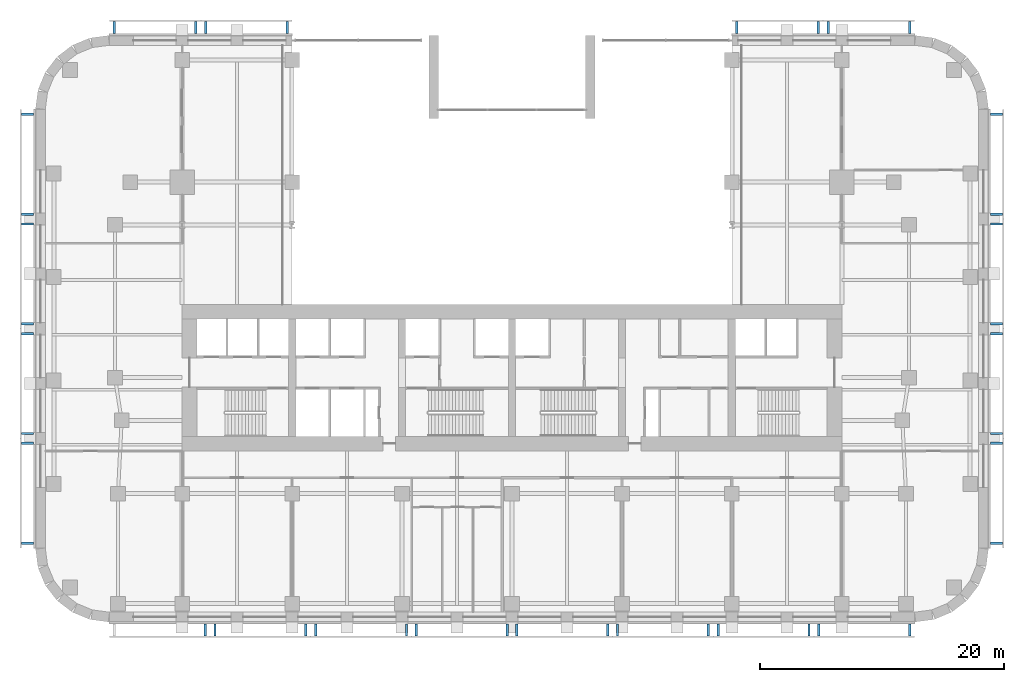
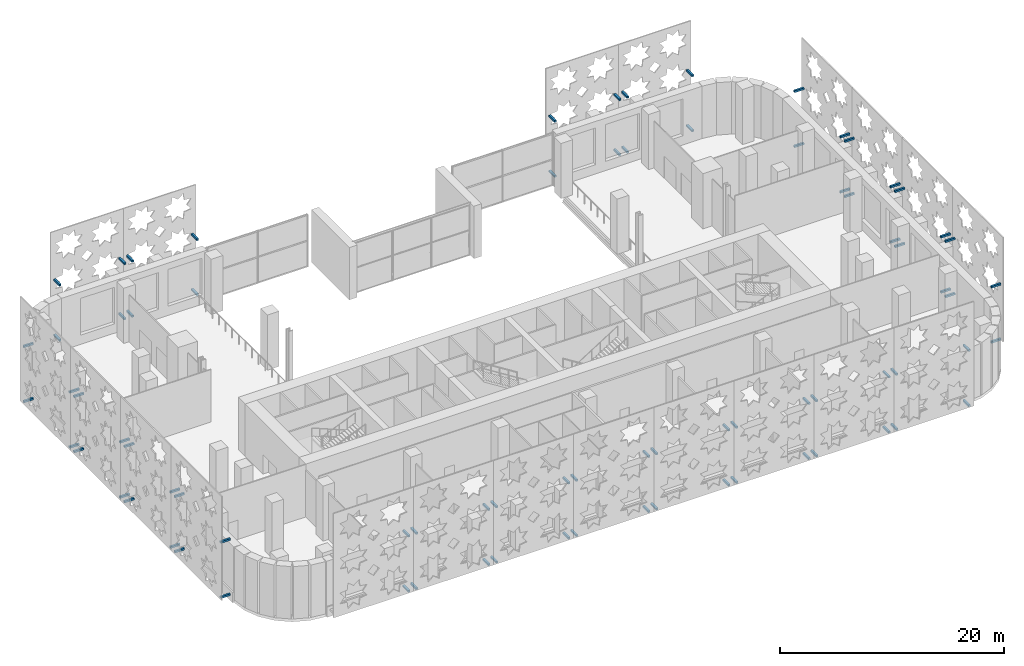
# One storey, part 10 of 17: 78 discrete accessories.
"""IFC4 building model written with IfcOpenShell, lengths in metres."""

import ifcopenshell
import ifcopenshell.guid

model = None  # the IFC model being written
_history = None  # IfcOwnerHistory: only IFC2X3 demands one
_inside = {}  # id of a spatial element -> (the spatial element, [elements in it])
_under = {}  # id of a project, library or spatial element -> (it, [spatial elements below it])
_declared = {}  # id of a project -> (the project, [libraries it declares])
_typed = {}  # id of a type object -> (the type object, [elements of that type])
_made_of = {}  # id of a material, layer set ... -> (it, [elements and type objects made of it])


def new_model(schema):
    """Start an empty IFC model of exactly this schema.

    Asked for "IFC4X3", IfcOpenShell would pick the latest addendum, in which some entities
    have other attributes; the version numbers below select the first issue.
    IFC2X3 requires an IfcOwnerHistory on every rooted entity: one is made here for all.
    """
    global model, _history
    if schema == "IFC4X3":
        model = ifcopenshell.file(schema_version=(4, 3, 0, 0))
    else:
        model = ifcopenshell.file(schema=schema)
    _inside.clear()
    _under.clear()
    _declared.clear()
    _typed.clear()
    _made_of.clear()
    _history = None
    if model.schema == "IFC2X3":
        org = make("IfcOrganization", Name="unknown")
        user = make(
            "IfcPersonAndOrganization",
            ThePerson=make("IfcPerson", FamilyName="unknown"),
            TheOrganization=org,
        )
        app = make(
            "IfcApplication",
            ApplicationDeveloper=org,
            Version="unknown",
            ApplicationFullName="unknown",
            ApplicationIdentifier="unknown",
        )
        _history = make(
            "IfcOwnerHistory",
            OwningUser=user,
            OwningApplication=app,
            ChangeAction="ADDED",
            CreationDate=0,
        )
    return model


def make(cls, **values):
    """One entity of the class cls with the attributes given. An attribute that is None is left unset."""
    return model.create_entity(
        cls, **{name: value for name, value in values.items() if value is not None}
    )


def rooted(cls, **values):
    """An entity with a GlobalId (a new one), such as an element, a storey or a relation."""
    return make(cls, GlobalId=ifcopenshell.guid.new(), OwnerHistory=_history, **values)


def si_unit(unit_type, name, prefix=None):
    """IfcSIUnit, for example si_unit("LENGTHUNIT", "METRE", prefix="MILLI")."""
    return make("IfcSIUnit", UnitType=unit_type, Prefix=prefix, Name=name)


def assignment(units):
    """IfcUnitAssignment: the units of a project."""
    return None if units is None else make("IfcUnitAssignment", Units=units)


def point(xyz):
    """IfcCartesianPoint."""
    return None if xyz is None else make("IfcCartesianPoint", Coordinates=xyz)


def direction(xyz):
    """IfcDirection."""
    return None if xyz is None else make("IfcDirection", DirectionRatios=xyz)


def frame(location, z_axis=None, x_axis=None):
    """IfcAxis2Placement3D, a coordinate frame: its origin and axes. An axis left out is left unset."""
    return make(
        "IfcAxis2Placement3D",
        Location=point(location),
        Axis=direction(z_axis),
        RefDirection=direction(x_axis),
    )


def frame_2d(location, x_axis=None):
    """IfcAxis2Placement2D, a coordinate frame in the plane: its origin and x axis."""
    return make(
        "IfcAxis2Placement2D", Location=point(location), RefDirection=direction(x_axis)
    )


def origin():
    """The frame at (0, 0, 0) with its axes left unset."""
    return frame((0.0, 0.0, 0.0))


def origin_2d():
    """The frame at (0, 0) in the plane with its x axis left unset."""
    return frame_2d((0.0, 0.0))


def place(relative_to, where):
    """IfcLocalPlacement: puts the frame where relative to a parent placement (None: the world)."""
    return make(
        "IfcLocalPlacement", PlacementRelTo=relative_to, RelativePlacement=where
    )


def context(
    kind, dimensions, precision=None, world=None, true_north=None, identifier=None
):
    """IfcGeometricRepresentationContext, for example the 3D "Model" context."""
    return make(
        "IfcGeometricRepresentationContext",
        ContextIdentifier=identifier,
        ContextType=kind,
        CoordinateSpaceDimension=dimensions,
        Precision=precision,
        WorldCoordinateSystem=world,
        TrueNorth=true_north,
    )


def subcontext(parent, identifier, kind, view, scale=None):
    """IfcGeometricRepresentationSubContext, for example "Body" below "Model"."""
    return make(
        "IfcGeometricRepresentationSubContext",
        ContextIdentifier=identifier,
        ContextType=kind,
        ParentContext=parent,
        TargetScale=scale,
        TargetView=view,
    )


def project(units=None, contexts=None):
    """IfcProject with its units and contexts."""
    return rooted(
        "IfcProject",
        Name="project",
        RepresentationContexts=contexts,
        UnitsInContext=assignment(units),
    )


def spatial(cls, under=None, at=None, **own):
    """A site, building, storey or space (cls), placed at a placement, below another one or the project."""
    s = rooted(cls, ObjectPlacement=at, **own)
    if under is not None:
        _under.setdefault(under.id(), (under, []))[1].append(s)
    return s


def profile(cls, at=None, kind="AREA", **sizes):
    """A parametric profile (cls). Its sizes go by their IFC names, for example OverallWidth=200.0."""
    return make(cls, ProfileType=kind, Position=at, **sizes)


def rectangle(**sizes):
    """IfcRectangleProfileDef."""
    return profile("IfcRectangleProfileDef", **sizes)


def extrude(swept, where, along, depth):
    """IfcExtrudedAreaSolid: the profile swept, set in the frame where, extruded along a direction by depth."""
    return make(
        "IfcExtrudedAreaSolid",
        SweptArea=swept,
        Position=where,
        ExtrudedDirection=direction(along),
        Depth=depth,
    )


def shape(context_of_items, identifier, shape_type, items):
    """IfcShapeRepresentation: the items that make up one representation, for example the "Body"."""
    return make(
        "IfcShapeRepresentation",
        ContextOfItems=context_of_items,
        RepresentationIdentifier=identifier,
        RepresentationType=shape_type,
        Items=items,
    )


def material(Name=None, Category=None):
    """IfcMaterial."""
    return make("IfcMaterial", Name=Name, Category=Category)


def made_of(thing, what):
    """Note that an element or type object is made of a material, layer set ...; save() writes the relation."""
    if what is not None:
        _made_of.setdefault(what.id(), (what, []))[1].append(thing)
    return thing


def type_object(cls, material=None, **own):
    """A type object (cls), such as IfcWallType, which elements share."""
    return made_of(rooted(cls, **own), material)


def element(
    cls,
    number,
    at=None,
    inside=None,
    cuts=None,
    type_object=None,
    material=None,
    context=None,
    identifier="Body",
    shape_type=None,
    held_by="IfcProductDefinitionShape",
    body=None,
    shapes=None,
    **own,
):
    """One element of the class cls, such as IfcWall. Its Tag is "e" and its number.

    at: its placement. inside: the storey or other place that contains it. cuts: it is an
    opening in that element (IfcRelVoidsElement). A single representation is given by context,
    identifier, shape_type and body (its items); several are given by shapes. held_by: the class
    of the entity that holds the representations. save() writes the other relations.
    """
    e = rooted(cls, Tag="e%d" % number, ObjectPlacement=at, **own)
    if body is not None:
        shapes = [shape(context, identifier, shape_type, body)]
    if shapes is not None:
        e.Representation = make(held_by, Representations=shapes)
    if inside is not None:
        _inside.setdefault(inside.id(), (inside, []))[1].append(e)
    if cuts is not None:
        rooted(
            "IfcRelVoidsElement", RelatingBuildingElement=cuts, RelatedOpeningElement=e
        )
    if type_object is not None:
        _typed.setdefault(type_object.id(), (type_object, []))[1].append(e)
    return made_of(e, material)


def aggregate(whole, parts):
    """IfcRelAggregates: a whole, such as a stair, and the parts it consists of."""
    return rooted("IfcRelAggregates", RelatingObject=whole, RelatedObjects=parts)


def save(model, path):
    """Write the relations noted so far, then the file.

    IfcRelAggregates (storeys below a building ...), IfcRelContainedInSpatialStructure (elements
    in a storey), IfcRelDefinesByType, IfcRelAssociatesMaterial and IfcRelDeclares: one each for
    every whole, place, type object, material and project.
    """
    for whole, parts in _under.values():
        aggregate(whole, parts)
    for where, things in _inside.values():
        rooted(
            "IfcRelContainedInSpatialStructure",
            RelatedElements=things,
            RelatingStructure=where,
        )
    for kind, things in _typed.values():
        rooted("IfcRelDefinesByType", RelatedObjects=things, RelatingType=kind)
    for what, things in _made_of.values():
        rooted("IfcRelAssociatesMaterial", RelatedObjects=things, RelatingMaterial=what)
    for by, libraries in _declared.values():
        rooted("IfcRelDeclares", RelatingContext=by, RelatedDefinitions=libraries)
    model.write(path)


model = new_model("IFC4")

# Units and contexts
model_context = context("Model", 3, precision=1e-05, world=origin(), true_north=direction((0.0, 1.0)))
body_context = subcontext(model_context, "Body", "Model", "MODEL_VIEW")
ifc_project = project(units=[si_unit("LENGTHUNIT", "METRE"), si_unit("AREAUNIT", "SQUARE_METRE"), si_unit("VOLUMEUNIT", "CUBIC_METRE"), si_unit("PLANEANGLEUNIT", "RADIAN"), si_unit("MASSUNIT", "GRAM", prefix="KILO")], contexts=[model_context])

# Site, building, storey
site_placement = place(None, origin())
site = spatial("IfcSite", under=ifc_project, at=site_placement, CompositionType="ELEMENT")
building_placement = place(site_placement, origin())
building = spatial("IfcBuilding", under=site, at=building_placement, Name="Zellij Exchange Tower", CompositionType="ELEMENT")
storey_placement = place(building_placement, frame((0.0, 0.0, 9.0)))
storey = spatial("IfcBuildingStorey", under=building, at=storey_placement, Name="L01", CompositionType="ELEMENT", Elevation=9.0)

# Discrete accessories
ifc_material = material(Name="Stainless steel", Category="steel")
discrete_accessory_type = type_object("IfcDiscreteAccessoryType", Name="ENV-BR1 Stone panel bracket 200", PredefinedType="USERDEFINED", material=ifc_material)
for number, where, z_axis, x_axis, name in (
    (1, (-39.64990234375, 13.547607421875, 0.2998046875), (0.0, 0.0, 1.0), (0.0, -1.0, 0.0), "Panel bracket"),
    (2, (-39.64990234375, 5.373779296875, 0.2998046875), (0.0, 0.0, 1.0), (0.0, -1.0, 0.0), "Panel bracket"),
    (3, (-39.64990234375, 13.547607421875, 6.2998046875), (0.0, 0.0, 1.0), (0.0, -1.0, 0.0), "Panel bracket"),
    (4, (-39.64990234375, 5.373779296875, 6.2998046875), (0.0, 0.0, 1.0), (0.0, -1.0, 0.0), "Panel bracket"),
    (5, (-39.64990234375, 4.57373046875, 0.2998046875), (0.0, 0.0, 1.0), (0.0, -1.0, 0.0), "Panel bracket"),
    (6, (-39.64990234375, -3.60009765625, 0.2998046875), (0.0, 0.0, 1.0), (0.0, -1.0, 0.0), "Panel bracket"),
    (7, (-39.64990234375, 4.57373046875, 6.2998046875), (0.0, 0.0, 1.0), (0.0, -1.0, 0.0), "Panel bracket"),
    (8, (-39.64990234375, -3.60009765625, 6.2998046875), (0.0, 0.0, 1.0), (0.0, -1.0, 0.0), "Panel bracket"),
    (9, (-39.64990234375, -4.39990234375, 0.2998046875), (0.0, 0.0, 1.0), (0.0, -1.0, 0.0), "Panel bracket"),
    (10, (-39.64990234375, -12.57373046875, 0.2998046875), (0.0, 0.0, 1.0), (0.0, -1.0, 0.0), "Panel bracket"),
    (11, (-39.64990234375, -4.39990234375, 6.2998046875), (0.0, 0.0, 1.0), (0.0, -1.0, 0.0), "Panel bracket"),
    (12, (-39.64990234375, -12.57373046875, 6.2998046875), (0.0, 0.0, 1.0), (0.0, -1.0, 0.0), "Panel bracket"),
    (13, (-39.64990234375, -13.373779296875, 0.2998046875), (0.0, 0.0, 1.0), (0.0, -1.0, 0.0), "Panel bracket"),
    (14, (-39.64990234375, -21.547607421875, 0.2998046875), (0.0, 0.0, 1.0), (0.0, -1.0, 0.0), "Panel bracket"),
    (15, (-39.64990234375, -13.373779296875, 6.2998046875), (0.0, 0.0, 1.0), (0.0, -1.0, 0.0), "Panel bracket"),
    (16, (-39.64990234375, -21.547607421875, 6.2998046875), (0.0, 0.0, 1.0), (0.0, -1.0, 0.0), "Panel bracket"),
    (17, (-25.110595703125, -28.64990234375, 0.2998046875), (0.0, 0.0, 1.0), (1.0, 0.0, 0.0), "Panel bracket"),
    (18, (-25.110595703125, -28.64990234375, 6.2998046875), (0.0, 0.0, 1.0), (1.0, 0.0, 0.0), "Panel bracket"),
    (19, (-24.310791015625, -28.64990234375, 0.2998046875), (0.0, 0.0, 1.0), (1.0, 0.0, 0.0), "Panel bracket"),
    (20, (-16.873779296875, -28.64990234375, 0.2998046875), (0.0, 0.0, 1.0), (1.0, 0.0, 0.0), "Panel bracket"),
    (21, (-24.310791015625, -28.64990234375, 6.2998046875), (0.0, 0.0, 1.0), (1.0, 0.0, 0.0), "Panel bracket"),
    (22, (-16.873779296875, -28.64990234375, 6.2998046875), (0.0, 0.0, 1.0), (1.0, 0.0, 0.0), "Panel bracket"),
    (23, (-16.07373046875, -28.64990234375, 0.2998046875), (0.0, 0.0, 1.0), (1.0, 0.0, 0.0), "Panel bracket"),
    (24, (-8.636962890625, -28.64990234375, 0.2998046875), (0.0, 0.0, 1.0), (1.0, 0.0, 0.0), "Panel bracket"),
    (25, (-16.07373046875, -28.64990234375, 6.2998046875), (0.0, 0.0, 1.0), (1.0, 0.0, 0.0), "Panel bracket"),
    (26, (-8.636962890625, -28.64990234375, 6.2998046875), (0.0, 0.0, 1.0), (1.0, 0.0, 0.0), "Panel bracket"),
    (27, (-7.8369140625, -28.64990234375, 0.2998046875), (0.0, 0.0, 1.0), (1.0, 0.0, 0.0), "Panel bracket"),
    (28, (-0.39990234375, -28.64990234375, 0.2998046875), (0.0, 0.0, 1.0), (1.0, 0.0, 0.0), "Panel bracket"),
    (29, (-7.8369140625, -28.64990234375, 6.2998046875), (0.0, 0.0, 1.0), (1.0, 0.0, 0.0), "Panel bracket"),
    (30, (-0.39990234375, -28.64990234375, 6.2998046875), (0.0, 0.0, 1.0), (1.0, 0.0, 0.0), "Panel bracket"),
    (31, (0.39990234375, -28.64990234375, 0.2998046875), (0.0, 0.0, 1.0), (1.0, 0.0, 0.0), "Panel bracket"),
    (32, (7.8369140625, -28.64990234375, 0.2998046875), (0.0, 0.0, 1.0), (1.0, 0.0, 0.0), "Panel bracket"),
    (33, (0.39990234375, -28.64990234375, 6.2998046875), (0.0, 0.0, 1.0), (1.0, 0.0, 0.0), "Panel bracket"),
    (34, (7.8369140625, -28.64990234375, 6.2998046875), (0.0, 0.0, 1.0), (1.0, 0.0, 0.0), "Panel bracket"),
    (35, (8.636962890625, -28.64990234375, 0.2998046875), (0.0, 0.0, 1.0), (1.0, 0.0, 0.0), "Panel bracket"),
    (36, (16.07373046875, -28.64990234375, 0.2998046875), (0.0, 0.0, 1.0), (1.0, 0.0, 0.0), "Panel bracket"),
    (37, (8.636962890625, -28.64990234375, 6.2998046875), (0.0, 0.0, 1.0), (1.0, 0.0, 0.0), "Panel bracket"),
    (38, (16.07373046875, -28.64990234375, 6.2998046875), (0.0, 0.0, 1.0), (1.0, 0.0, 0.0), "Panel bracket"),
    (39, (16.873779296875, -28.64990234375, 0.2998046875), (0.0, 0.0, 1.0), (1.0, 0.0, 0.0), "Panel bracket"),
    (40, (24.310791015625, -28.64990234375, 0.2998046875), (0.0, 0.0, 1.0), (1.0, 0.0, 0.0), "Panel bracket"),
    (41, (16.873779296875, -28.64990234375, 6.2998046875), (0.0, 0.0, 1.0), (1.0, 0.0, 0.0), "Panel bracket"),
    (42, (24.310791015625, -28.64990234375, 6.2998046875), (0.0, 0.0, 1.0), (1.0, 0.0, 0.0), "Panel bracket"),
    (43, (25.110595703125, -28.64990234375, 0.2998046875), (0.0, 0.0, 1.0), (1.0, 0.0, 0.0), "Panel bracket"),
    (44, (32.547607421875, -28.64990234375, 0.2998046875), (0.0, 0.0, 1.0), (1.0, 0.0, 0.0), "Panel bracket"),
    (45, (25.110595703125, -28.64990234375, 6.2998046875), (0.0, 0.0, 1.0), (1.0, 0.0, 0.0), "Panel bracket"),
    (46, (32.547607421875, -28.64990234375, 6.2998046875), (0.0, 0.0, 1.0), (1.0, 0.0, 0.0), "Panel bracket"),
    (47, (-18.39990234375, 20.64990234375, 0.2998046875), (0.0, 0.0, 1.0), (-1.0, 0.0, 0.0), "Panel bracket"),
    (48, (-25.07373046875, 20.64990234375, 0.2998046875), (0.0, 0.0, 1.0), (-1.0, 0.0, 0.0), "Panel bracket"),
    (49, (-18.39990234375, 20.64990234375, 6.2998046875), (0.0, 0.0, 1.0), (-1.0, 0.0, 0.0), "Panel bracket"),
    (50, (-25.07373046875, 20.64990234375, 6.2998046875), (0.0, 0.0, 1.0), (-1.0, 0.0, 0.0), "Panel bracket"),
    (51, (-25.873779296875, 20.64990234375, 0.2998046875), (0.0, 0.0, 1.0), (-1.0, 0.0, 0.0), "Panel bracket"),
    (52, (-32.547607421875, 20.64990234375, 0.2998046875), (0.0, 0.0, 1.0), (-1.0, 0.0, 0.0), "Panel bracket"),
    (53, (-25.873779296875, 20.64990234375, 6.2998046875), (0.0, 0.0, 1.0), (-1.0, 0.0, 0.0), "Panel bracket"),
    (54, (-32.547607421875, 20.64990234375, 6.2998046875), (0.0, 0.0, 1.0), (-1.0, 0.0, 0.0), "Panel bracket"),
    (55, (32.547607421875, 20.64990234375, 0.2998046875), (0.0, 0.0, 1.0), (-1.0, 0.0, 0.0), "Panel bracket"),
    (56, (25.873779296875, 20.64990234375, 0.2998046875), (0.0, 0.0, 1.0), (-1.0, 0.0, 0.0), "Panel bracket"),
    (57, (32.547607421875, 20.64990234375, 6.2998046875), (0.0, 0.0, 1.0), (-1.0, 0.0, 0.0), "Panel bracket"),
    (58, (25.873779296875, 20.64990234375, 6.2998046875), (0.0, 0.0, 1.0), (-1.0, 0.0, 0.0), "Panel bracket"),
    (59, (25.07373046875, 20.64990234375, 0.2998046875), (0.0, 0.0, 1.0), (-1.0, 0.0, 0.0), "Panel bracket"),
    (60, (18.39990234375, 20.64990234375, 0.2998046875), (0.0, 0.0, 1.0), (-1.0, 0.0, 0.0), "Panel bracket"),
    (61, (25.07373046875, 20.64990234375, 6.2998046875), (0.0, 0.0, 1.0), (-1.0, 0.0, 0.0), "Panel bracket"),
    (62, (18.39990234375, 20.64990234375, 6.2998046875), (0.0, 0.0, 1.0), (-1.0, 0.0, 0.0), "Panel bracket"),
    (63, (39.64990234375, -21.547607421875, 0.2998046875), (0.0, 0.0, 1.0), (0.0, 1.0, 0.0), "Panel bracket"),
    (64, (39.64990234375, -13.373779296875, 0.2998046875), (0.0, 0.0, 1.0), (0.0, 1.0, 0.0), "Panel bracket"),
    (65, (39.64990234375, -21.547607421875, 6.2998046875), (0.0, 0.0, 1.0), (0.0, 1.0, 0.0), "Panel bracket"),
    (66, (39.64990234375, -13.373779296875, 6.2998046875), (0.0, 0.0, 1.0), (0.0, 1.0, 0.0), "Panel bracket"),
    (67, (39.64990234375, -12.57373046875, 0.2998046875), (0.0, 0.0, 1.0), (0.0, 1.0, 0.0), "Panel bracket"),
    (68, (39.64990234375, -4.39990234375, 0.2998046875), (0.0, 0.0, 1.0), (0.0, 1.0, 0.0), "Panel bracket"),
    (69, (39.64990234375, -12.57373046875, 6.2998046875), (0.0, 0.0, 1.0), (0.0, 1.0, 0.0), "Panel bracket"),
    (70, (39.64990234375, -4.39990234375, 6.2998046875), (0.0, 0.0, 1.0), (0.0, 1.0, 0.0), "Panel bracket"),
    (71, (39.64990234375, -3.60009765625, 0.2998046875), (0.0, 0.0, 1.0), (0.0, 1.0, 0.0), "Panel bracket"),
    (72, (39.64990234375, 4.57373046875, 0.2998046875), (0.0, 0.0, 1.0), (0.0, 1.0, 0.0), "Panel bracket"),
    (73, (39.64990234375, -3.60009765625, 6.2998046875), (0.0, 0.0, 1.0), (0.0, 1.0, 0.0), "Panel bracket"),
    (74, (39.64990234375, 4.57373046875, 6.2998046875), (0.0, 0.0, 1.0), (0.0, 1.0, 0.0), "Panel bracket"),
    (75, (39.64990234375, 5.373779296875, 0.2998046875), (0.0, 0.0, 1.0), (0.0, 1.0, 0.0), "Panel bracket"),
    (76, (39.64990234375, 13.547607421875, 0.2998046875), (0.0, 0.0, 1.0), (0.0, 1.0, 0.0), "Panel bracket"),
    (77, (39.64990234375, 5.373779296875, 6.2998046875), (0.0, 0.0, 1.0), (0.0, 1.0, 0.0), "Panel bracket"),
    (78, (39.64990234375, 13.547607421875, 6.2998046875), (0.0, 0.0, 1.0), (0.0, 1.0, 0.0), "Panel bracket"),
):
    element("IfcDiscreteAccessory", number, at=place(storey_placement, frame(where, z_axis=z_axis, x_axis=x_axis)), inside=storey, type_object=discrete_accessory_type, Name=name, ObjectType="BRACKET", PredefinedType="USERDEFINED", context=body_context, shape_type="SweptSolid", body=[
        extrude(rectangle(XDim=0.199951171875, YDim=1.0, at=origin_2d()), origin(), (0.0, 0.0, 1.0), 0.199951171875),
    ])

save(model, "model.ifc")
